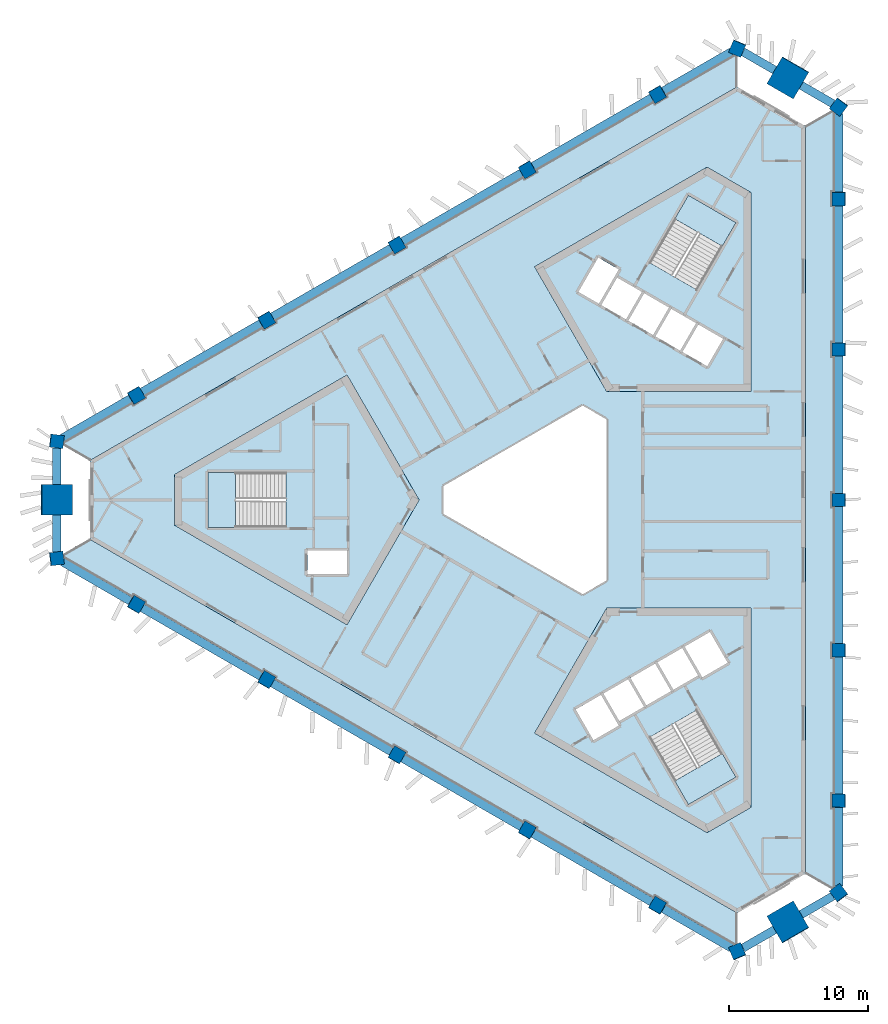
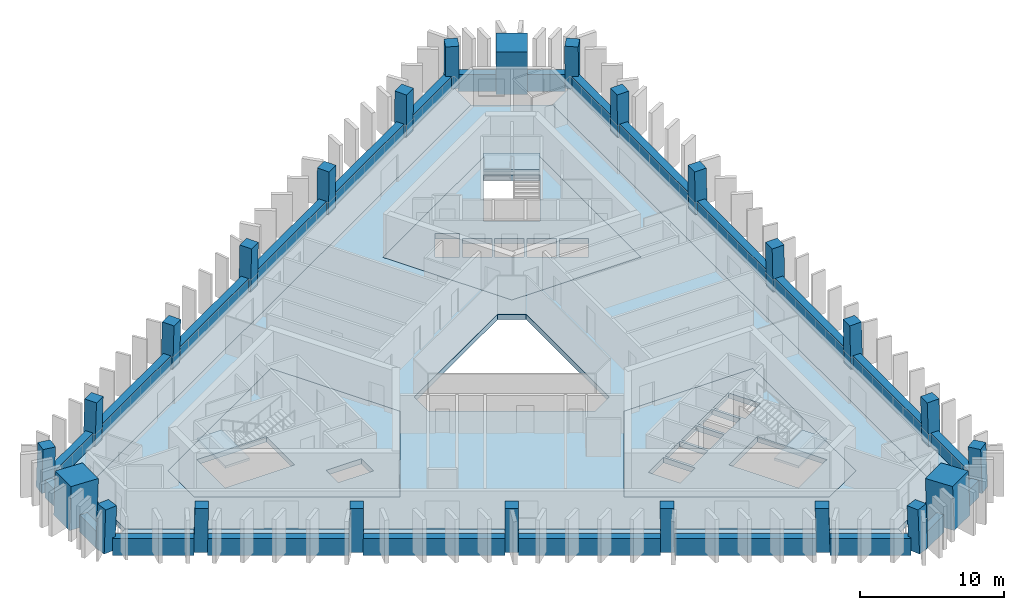
# One storey, part 1 of 9: 24 beams, 24 columns, 10 slabs, 3 elements without a shape of their own.
"""IFC4 building model written with IfcOpenShell, lengths in metres."""

from ifc_helpers import new_model, si_unit, direction, frame, origin, origin_2d, place, context, subcontext, project, spatial, polyline, rectangle, outline, extrude, material, layer, layer_set, material_profile, profile_set, type_object, element, aggregate, save


model = new_model("IFC4")

# Units and contexts
model_context = context("Model", 3, precision=1e-05, world=origin(), true_north=direction((0.0, 1.0)))
body_context = subcontext(model_context, "Body", "Model", "MODEL_VIEW")
ifc_project = project(units=[si_unit("LENGTHUNIT", "METRE"), si_unit("AREAUNIT", "SQUARE_METRE"), si_unit("VOLUMEUNIT", "CUBIC_METRE"), si_unit("PLANEANGLEUNIT", "RADIAN"), si_unit("MASSUNIT", "GRAM", prefix="KILO")], contexts=[model_context])

# Site, building, storey
site_placement = place(None, origin())
site = spatial("IfcSite", under=ifc_project, at=site_placement, CompositionType="ELEMENT")
building_placement = place(site_placement, origin())
building = spatial("IfcBuilding", under=site, at=building_placement, Name="Jabali Bay Hotel Tower and Convention Centre", CompositionType="ELEMENT")
storey_placement = place(building_placement, frame((0.0, 0.0, 171.10009765625)))
storey = spatial("IfcBuildingStorey", under=building, at=storey_placement, Name="L41", CompositionType="ELEMENT", Elevation=171.10009765625)

# Columns
ifc_material_1 = material(Name="Concrete C60", Category="concrete")
ifc_material_profile_1 = material_profile(ifc_material_1, rectangle(XDim=0.949951171875, YDim=0.949951171875, at=origin_2d()), Name="Frame column 950")
ifc_profile_set_1 = profile_set([ifc_material_profile_1], Name="Concrete C60")
column_type_1 = type_object("IfcColumnType", Name="Frame column 950", PredefinedType="COLUMN", material=ifc_profile_set_1)
column_1_placement = place(storey_placement, frame((83.16650390625, 109.1962890625, 0.0), z_axis=(-0.008376454378, -0.028163354484, 0.999568237028), x_axis=(0.865850871468, 0.499846877556, 0.02133933866)))
element("IfcColumn", 1, at=column_1_placement, inside=storey, type_object=column_type_1, Name="FC4 F1.1 L41", PredefinedType="COLUMN", context=body_context, shape_type="SweptSolid", body=[
    extrude(rectangle(XDim=0.949951171875, YDim=0.949951171875, at=origin_2d()), origin(), (0.0, 0.0, 1.0), 3.70166015625),
])
column_2_placement = place(storey_placement, frame((73.782958984375, 103.778564453125, 0.0), z_axis=(0.000857578916, -0.022824792675, 0.999739112668), x_axis=(0.866060219769, 0.499825848733, 0.01066848966)))
element("IfcColumn", 2, at=column_2_placement, inside=storey, type_object=column_type_1, Name="FC4 F1.2 L41", PredefinedType="COLUMN", context=body_context, shape_type="SweptSolid", body=[
    extrude(rectangle(XDim=0.949951171875, YDim=0.949951171875, at=origin_2d()), origin(), (0.0, 0.0, 1.0), 3.700927734375),
])
column_3_placement = place(storey_placement, frame((64.3994140625, 98.36083984375, 0.0), z_axis=(0.010093620709, -0.017482414954, 0.999796221231), x_axis=(0.866020200589, 0.50000901209, 8.5616e-08)))
element("IfcColumn", 3, at=column_3_placement, inside=storey, type_object=column_type_1, Name="FC4 F1.3 L41", PredefinedType="COLUMN", context=body_context, shape_type="SweptSolid", body=[
    extrude(rectangle(XDim=0.949951171875, YDim=0.949951171875, at=origin_2d()), origin(), (0.0, 0.0, 1.0), 3.70068359375),
])
column_4_placement = place(storey_placement, frame((55.015625, 92.943359375, 0.0), z_axis=(0.019328501455, -0.012204002625, 0.999738701537), x_axis=(-0.498087889239, 0.866890953389, 0.020212113357)))
element("IfcColumn", 4, at=column_4_placement, inside=storey, type_object=column_type_1, Name="FC4 F1.4 L41", PredefinedType="COLUMN", context=body_context, shape_type="SweptSolid", body=[
    extrude(rectangle(XDim=0.949951171875, YDim=0.949951171875, at=origin_2d()), origin(), (0.0, 0.0, 1.0), 3.700927734375),
])
for number, where, z_axis, x_axis, name in (
    (5, (45.632080078125, 87.525634765625, 0.0), (0.02855911485, -0.006793507689, 0.999569019734), (-0.500407643461, 0.865554709988, 0.020180049142), "FC4 F1.5 L41"),
    (6, (45.632080078125, 72.474365234375, 0.0), (0.02855911485, 0.006793507689, 0.999569019734), (-0.865318766308, 0.500768301983, 0.021319953197), "FC4 F2.1 L41"),
):
    element("IfcColumn", number, at=place(storey_placement, frame(where, z_axis=z_axis, x_axis=x_axis)), inside=storey, type_object=column_type_1, Name=name, PredefinedType="COLUMN", context=body_context, shape_type="SweptSolid", body=[
        extrude(rectangle(XDim=0.949951171875, YDim=0.949951171875, at=origin_2d()), origin(), (0.0, 0.0, 1.0), 3.70166015625),
    ])
column_5_placement = place(storey_placement, frame((55.015625, 67.056640625, 0.0), z_axis=(0.019328501455, 0.012204002625, 0.999738701537), x_axis=(-0.8669111048, 0.498348409501, 0.010677037146)))
element("IfcColumn", 7, at=column_5_placement, inside=storey, type_object=column_type_1, Name="FC4 F2.2 L41", PredefinedType="COLUMN", context=body_context, shape_type="SweptSolid", body=[
    extrude(rectangle(XDim=0.949951171875, YDim=0.949951171875, at=origin_2d()), origin(), (0.0, 0.0, 1.0), 3.700927734375),
])
column_6_placement = place(storey_placement, frame((64.3994140625, 61.63916015625, 0.0), z_axis=(0.010093620709, 0.017482414954, 0.999796221231), x_axis=(-0.499907122366, -0.865843723195, 0.020187025824)))
element("IfcColumn", 8, at=column_6_placement, inside=storey, type_object=column_type_1, Name="FC4 F2.3 L41", PredefinedType="COLUMN", context=body_context, shape_type="SweptSolid", body=[
    extrude(rectangle(XDim=0.949951171875, YDim=0.949951171875, at=origin_2d()), origin(), (0.0, 0.0, 1.0), 3.70068359375),
])
column_7_placement = place(storey_placement, frame((73.782958984375, 56.221435546875, 0.0), z_axis=(0.000857578916, 0.022824792675, 0.999739112668), x_axis=(-0.499938956565, -0.865825126557, 0.020196285069)))
element("IfcColumn", 9, at=column_7_placement, inside=storey, type_object=column_type_1, Name="FC4 F2.4 L41", PredefinedType="COLUMN", context=body_context, shape_type="SweptSolid", body=[
    extrude(rectangle(XDim=0.949951171875, YDim=0.949951171875, at=origin_2d()), origin(), (0.0, 0.0, 1.0), 3.700927734375),
])
for number, where, z_axis, x_axis, name in (
    (10, (83.16650390625, 50.8037109375, 0.0), (-0.008376454378, 0.028163354484, 0.999568237028), (-0.500232049542, -0.86565577712, 0.020198320458), "FC4 F2.5 L41"),
    (11, (96.201416015625, 58.329345703125, 0.0), (-0.020182631348, 0.021369844956, 0.999567902205), (-0.001315292007, -0.999771248084, 0.021347634776), "FC4 F0.1 L41"),
):
    element("IfcColumn", number, at=place(storey_placement, frame(where, z_axis=z_axis, x_axis=x_axis)), inside=storey, type_object=column_type_1, Name=name, PredefinedType="COLUMN", context=body_context, shape_type="SweptSolid", body=[
        extrude(rectangle(XDim=0.949951171875, YDim=0.949951171875, at=origin_2d()), origin(), (0.0, 0.0, 1.0), 3.70166015625),
    ])
column_8_placement = place(storey_placement, frame((96.201416015625, 69.164794921875, 0.0), z_axis=(-0.020186102726, 0.010620792611, 0.999739826165), x_axis=(0.001532768534, -0.999942070948, 0.010653889845)))
element("IfcColumn", 12, at=column_8_placement, inside=storey, type_object=column_type_1, Name="FC4 F0.2 L41", PredefinedType="COLUMN", context=body_context, shape_type="SweptSolid", body=[
    extrude(rectangle(XDim=0.949951171875, YDim=0.949951171875, at=origin_2d()), origin(), (0.0, 0.0, 1.0), 3.700927734375),
])
column_9_placement = place(storey_placement, frame((96.201416015625, 80.0, 0.0), z_axis=(-0.020187241331, 0.0, 0.99979621688), x_axis=(0.0, -1.0, 0.0)))
element("IfcColumn", 13, at=column_9_placement, inside=storey, type_object=column_type_1, Name="FC4 F0.3 L41", PredefinedType="COLUMN", context=body_context, shape_type="SweptSolid", body=[
    extrude(rectangle(XDim=0.949951171875, YDim=0.949951171875, at=origin_2d()), origin(), (0.0, 0.0, 1.0), 3.70068359375),
])
column_10_placement = place(storey_placement, frame((96.201416015625, 90.835205078125, 0.0), z_axis=(-0.020186102726, -0.010620792611, 0.999739826165), x_axis=(0.999795064939, -0.001747430263, 0.020168654147)))
element("IfcColumn", 14, at=column_10_placement, inside=storey, type_object=column_type_1, Name="FC4 F0.4 L41", PredefinedType="COLUMN", context=body_context, shape_type="SweptSolid", body=[
    extrude(rectangle(XDim=0.949951171875, YDim=0.949951171875, at=origin_2d()), origin(), (0.0, 0.0, 1.0), 3.700927734375),
])
column_11_placement = place(storey_placement, frame((96.201416015625, 101.670654296875, 0.0), z_axis=(-0.020182631348, -0.021369844956, 0.999567902205), x_axis=(0.999795444778, 0.000883872229, 0.020206122118)))
element("IfcColumn", 15, at=column_11_placement, inside=storey, type_object=column_type_1, Name="FC4 F0.5 L41", PredefinedType="COLUMN", context=body_context, shape_type="SweptSolid", body=[
    extrude(rectangle(XDim=0.949951171875, YDim=0.949951171875, at=origin_2d()), origin(), (0.0, 0.0, 1.0), 3.70166015625),
])
for number, where, z_axis, x_axis, name in (
    (16, (96.201416015625, 51.710205078125, 0.0), (-0.020178741915, 0.029015184452, 0.999375273581), (-0.80032510163, -0.599564988062, 0.001247714526), "FC4 V0 L41"),
    (17, (96.201416015625, 108.289794921875, 0.0), (-0.020178741915, -0.029015184452, 0.999375273581), (0.599226626641, 0.799799940086, 0.035320047601), "FC4 V1 L41"),
    (18, (88.89892578125, 112.505859375, 0.0), (-0.014969213121, -0.031982680017, 0.999376320931), (0.920097148052, -0.39168824844, 0.001246667906), "FC4 V2 L41"),
    (19, (39.899658203125, 84.216064453125, 0.0), (0.03521388716, -0.002967462401, 0.999375393092), (-0.992260177461, 0.119048196905, 0.035316668006), "FC4 V3 L41"),
    (20, (39.899658203125, 75.783935546875, 0.0), (0.03521388716, 0.002967462401, 0.999375393092), (-0.119078639463, 0.992884042062, 0.001247655004), "FC4 V4 L41"),
    (21, (88.89892578125, 47.494140625, 0.0), (-0.014969213121, 0.031982680017, 0.999376320931), (0.391404088897, -0.919541964357, 0.035290437538), "FC4 V5 L41"),
):
    element("IfcColumn", number, at=place(storey_placement, frame(where, z_axis=z_axis, x_axis=x_axis)), inside=storey, type_object=column_type_1, Name=name, PredefinedType="COLUMN", context=body_context, shape_type="SweptSolid", body=[
        extrude(rectangle(XDim=0.949951171875, YDim=0.949951171875, at=origin_2d()), origin(), (0.0, 0.0, 1.0), 3.7021484375),
    ])
ifc_material_2 = material(Name="Concrete C70", Category="concrete")
ifc_material_profile_2 = material_profile(ifc_material_2, rectangle(XDim=2.199951171875, YDim=2.199951171875, at=origin_2d()), Name="Mega column 2200")
ifc_profile_set_2 = profile_set([ifc_material_profile_2], Name="Concrete C70")
column_type_2 = type_object("IfcColumnType", Name="Mega column 2200", PredefinedType="COLUMN", material=ifc_profile_set_2)
for number, where, z_axis, x_axis, name in (
    (22, (92.55029296875, 110.397705078125, 0.0), (-0.017607037296, -0.030466109479, 0.999380712447), (0.86581098392, -0.500371202332, 2.457e-09), "MC4 M1 L41"),
    (23, (39.899658203125, 80.0, 0.0), (0.035214042205, 0.0, 0.999379793288), (0.0, 1.0, 0.0), "MC4 M0 L41"),
    (24, (92.55029296875, 49.602294921875, 0.0), (-0.017607037296, 0.030466109479, 0.999380712447), (0.500061328599, -0.865274797998, 0.035187946645), "MC4 M2 L41"),
):
    element("IfcColumn", number, at=place(storey_placement, frame(where, z_axis=z_axis, x_axis=x_axis)), inside=storey, type_object=column_type_2, Name=name, PredefinedType="COLUMN", context=body_context, shape_type="SweptSolid", body=[
        extrude(rectangle(XDim=2.199951171875, YDim=2.199951171875, at=origin_2d()), origin(), (0.0, 0.0, 1.0), 3.7021484375),
    ])

# Beams
ifc_material_profile_3 = material_profile(ifc_material_1, rectangle(XDim=0.60009765625, YDim=1.449951171875, at=origin_2d()), Name="Spandrel 600x1450")
ifc_profile_set_3 = profile_set([ifc_material_profile_3], Name="Concrete C60")
beam_type = type_object("IfcBeamType", Name="Spandrel 600x1450", PredefinedType="SPANDREL", material=ifc_profile_set_3)
beam_1_placement = place(storey_placement, frame((91.591064453125, 110.936279296875, 0.375), z_axis=(-0.86602080971, 0.500007957085, 0.0), x_axis=(-0.500007957085, -0.86602080971, 0.0)))
element("IfcBeam", 25, at=beam_1_placement, inside=storey, type_object=beam_type, Name="Spandrel M1-V2 L41", PredefinedType="SPANDREL", context=body_context, shape_type="SweptSolid", body=[
    extrude(rectangle(XDim=0.60009765625, YDim=1.449951171875, at=origin_2d()), origin(), (0.0, 0.0, 1.0), 2.64013671875),
])
beam_2_placement = place(storey_placement, frame((88.48193359375, 112.25634765625, 0.375), z_axis=(-0.866020560687, -0.500008388397, 0.0), x_axis=(0.500008388397, -0.866020560687, 0.0)))
element("IfcBeam", 26, at=beam_2_placement, inside=storey, type_object=beam_type, Name="Spandrel V2-F1.1 L41", PredefinedType="SPANDREL", context=body_context, shape_type="SweptSolid", body=[
    extrude(rectangle(XDim=0.60009765625, YDim=1.449951171875, at=origin_2d()), origin(), (0.0, 0.0, 1.0), 5.66650390625),
])
beam_3_placement = place(storey_placement, frame((82.751953125, 108.947998046875, 0.375), z_axis=(-0.866032938687, -0.499986948939, 0.0), x_axis=(0.499986948939, -0.866032938687, 0.0)))
element("IfcBeam", 27, at=beam_3_placement, inside=storey, type_object=beam_type, Name="Spandrel F1.1-F1.2 L41", PredefinedType="SPANDREL", context=body_context, shape_type="SweptSolid", body=[
    extrude(rectangle(XDim=0.60009765625, YDim=1.449951171875, at=origin_2d()), origin(), (0.0, 0.0, 1.0), 9.881103515625),
])
for number, where, z_axis, x_axis, name in (
    (28, (73.371826171875, 103.532470703125, 0.375), (-0.866022240018, -0.500005479765, 0.0), (0.500005479765, -0.866022240018, 0.0), "Spandrel F1.2-F1.3 L41"),
    (29, (63.99169921875, 98.116943359375, 0.375), (-0.866022240018, -0.500005479765, 0.0), (0.500005479765, -0.866022240018, 0.0), "Spandrel F1.3-F1.4 L41"),
    (30, (54.611572265625, 92.701171875, 0.375), (-0.866022240018, -0.500005479765, 0.0), (0.500005479765, -0.866022240018, 0.0), "Spandrel F1.4-F1.5 L41"),
):
    element("IfcBeam", number, at=place(storey_placement, frame(where, z_axis=z_axis, x_axis=x_axis)), inside=storey, type_object=beam_type, Name=name, PredefinedType="SPANDREL", context=body_context, shape_type="SweptSolid", body=[
        extrude(rectangle(XDim=0.60009765625, YDim=1.449951171875, at=origin_2d()), origin(), (0.0, 0.0, 1.0), 9.88134765625),
    ])
beam_4_placement = place(storey_placement, frame((45.2314453125, 87.28564453125, 0.375), z_axis=(-0.866020560687, -0.500008388397, 0.0), x_axis=(0.500008388397, -0.866020560687, 0.0)))
element("IfcBeam", 31, at=beam_4_placement, inside=storey, type_object=beam_type, Name="Spandrel F1.5-V3 L41", PredefinedType="SPANDREL", context=body_context, shape_type="SweptSolid", body=[
    extrude(rectangle(XDim=0.60009765625, YDim=1.449951171875, at=origin_2d()), origin(), (0.0, 0.0, 1.0), 5.66650390625),
])
for number, where, z_axis, x_axis, name in (
    (32, (39.912841796875, 83.739990234375, 0.375), (0.0, -1.0, 0.0), (1.0, 0.0, 0.0), "Spandrel V3-M0 L41"),
    (33, (39.912841796875, 78.89990234375, 0.375), (0.0, -1.0, 0.0), (1.0, 0.0, 0.0), "Spandrel M0-V4 L41"),
):
    element("IfcBeam", number, at=place(storey_placement, frame(where, z_axis=z_axis, x_axis=x_axis)), inside=storey, type_object=beam_type, Name=name, PredefinedType="SPANDREL", context=body_context, shape_type="SweptSolid", body=[
        extrude(rectangle(XDim=0.60009765625, YDim=1.449951171875, at=origin_2d()), origin(), (0.0, 0.0, 1.0), 2.639892578125),
    ])
beam_5_placement = place(storey_placement, frame((40.32421875, 75.547607421875, 0.375), z_axis=(0.866020560687, -0.500008388397, 0.0), x_axis=(0.500008388397, 0.866020560687, 0.0)))
element("IfcBeam", 34, at=beam_5_placement, inside=storey, type_object=beam_type, Name="Spandrel V4-F2.1 L41", PredefinedType="SPANDREL", context=body_context, shape_type="SweptSolid", body=[
    extrude(rectangle(XDim=0.60009765625, YDim=1.449951171875, at=origin_2d()), origin(), (0.0, 0.0, 1.0), 5.66650390625),
])
for number, where, z_axis, x_axis, name in (
    (35, (46.05419921875, 72.239501953125, 0.375), (0.866022240018, -0.500005479765, 0.0), (0.500005479765, 0.866022240018, 0.0), "Spandrel F2.1-F2.2 L41"),
    (36, (55.434326171875, 66.82373046875, 0.375), (0.866022240018, -0.500005479765, 0.0), (0.500005479765, 0.866022240018, 0.0), "Spandrel F2.2-F2.3 L41"),
    (37, (64.814453125, 61.408203125, 0.375), (0.866022240018, -0.500005479765, 0.0), (0.500005479765, 0.866022240018, 0.0), "Spandrel F2.3-F2.4 L41"),
):
    element("IfcBeam", number, at=place(storey_placement, frame(where, z_axis=z_axis, x_axis=x_axis)), inside=storey, type_object=beam_type, Name=name, PredefinedType="SPANDREL", context=body_context, shape_type="SweptSolid", body=[
        extrude(rectangle(XDim=0.60009765625, YDim=1.449951171875, at=origin_2d()), origin(), (0.0, 0.0, 1.0), 9.88134765625),
    ])
beam_6_placement = place(storey_placement, frame((74.194580078125, 55.992431640625, 0.375), z_axis=(0.866032938687, -0.499986948939, 0.0), x_axis=(0.499986948939, 0.866032938687, 0.0)))
element("IfcBeam", 38, at=beam_6_placement, inside=storey, type_object=beam_type, Name="Spandrel F2.4-F2.5 L41", PredefinedType="SPANDREL", context=body_context, shape_type="SweptSolid", body=[
    extrude(rectangle(XDim=0.60009765625, YDim=1.449951171875, at=origin_2d()), origin(), (0.0, 0.0, 1.0), 9.881103515625),
])
beam_7_placement = place(storey_placement, frame((83.57470703125, 50.576904296875, 0.375), z_axis=(0.866020560687, -0.500008388397, 0.0), x_axis=(0.500008388397, 0.866020560687, 0.0)))
element("IfcBeam", 39, at=beam_7_placement, inside=storey, type_object=beam_type, Name="Spandrel F2.5-V5 L41", PredefinedType="SPANDREL", context=body_context, shape_type="SweptSolid", body=[
    extrude(rectangle(XDim=0.60009765625, YDim=1.449951171875, at=origin_2d()), origin(), (0.0, 0.0, 1.0), 5.66650390625),
])
for number, where, z_axis, x_axis, name in (
    (40, (89.3046875, 47.74365234375, 0.375), (0.86602080971, 0.500007957085, 0.0), (-0.500007957085, 0.86602080971, 0.0), "Spandrel V5-M2 L41"),
    (41, (93.49609375, 50.16357421875, 0.375), (0.86602080971, 0.500007957085, 0.0), (-0.500007957085, 0.86602080971, 0.0), "Spandrel M2-V0 L41"),
):
    element("IfcBeam", number, at=place(storey_placement, frame(where, z_axis=z_axis, x_axis=x_axis)), inside=storey, type_object=beam_type, Name=name, PredefinedType="SPANDREL", context=body_context, shape_type="SweptSolid", body=[
        extrude(rectangle(XDim=0.60009765625, YDim=1.449951171875, at=origin_2d()), origin(), (0.0, 0.0, 1.0), 2.64013671875),
    ])
beam_8_placement = place(storey_placement, frame((96.19384765625, 52.196044921875, 0.375), z_axis=(0.0, 1.0, 0.0), x_axis=(-1.0, 0.0, 0.0)))
element("IfcBeam", 42, at=beam_8_placement, inside=storey, type_object=beam_type, Name="Spandrel V0-F0.1 L41", PredefinedType="SPANDREL", context=body_context, shape_type="SweptSolid", body=[
    extrude(rectangle(XDim=0.60009765625, YDim=1.449951171875, at=origin_2d()), origin(), (0.0, 0.0, 1.0), 5.66650390625),
])
beam_9_placement = place(storey_placement, frame((96.19384765625, 58.8125, 0.375), z_axis=(0.0, 1.0, 0.0), x_axis=(-1.0, 0.0, 0.0)))
element("IfcBeam", 43, at=beam_9_placement, inside=storey, type_object=beam_type, Name="Spandrel F0.1-F0.2 L41", PredefinedType="SPANDREL", context=body_context, shape_type="SweptSolid", body=[
    extrude(rectangle(XDim=0.60009765625, YDim=1.449951171875, at=origin_2d()), origin(), (0.0, 0.0, 1.0), 9.88134765625),
])
for number, where, z_axis, x_axis, name in (
    (44, (96.19384765625, 69.643798828125, 0.375), (0.0, 1.0, 0.0), (-1.0, 0.0, 0.0), "Spandrel F0.2-F0.3 L41"),
    (45, (96.19384765625, 80.47509765625, 0.375), (0.0, 1.0, 0.0), (-1.0, 0.0, 0.0), "Spandrel F0.3-F0.4 L41"),
):
    element("IfcBeam", number, at=place(storey_placement, frame(where, z_axis=z_axis, x_axis=x_axis)), inside=storey, type_object=beam_type, Name=name, PredefinedType="SPANDREL", context=body_context, shape_type="SweptSolid", body=[
        extrude(rectangle(XDim=0.60009765625, YDim=1.449951171875, at=origin_2d()), origin(), (0.0, 0.0, 1.0), 9.881103515625),
    ])
beam_10_placement = place(storey_placement, frame((96.19384765625, 91.30615234375, 0.375), z_axis=(0.0, 1.0, 0.0), x_axis=(-1.0, 0.0, 0.0)))
element("IfcBeam", 46, at=beam_10_placement, inside=storey, type_object=beam_type, Name="Spandrel F0.4-F0.5 L41", PredefinedType="SPANDREL", context=body_context, shape_type="SweptSolid", body=[
    extrude(rectangle(XDim=0.60009765625, YDim=1.449951171875, at=origin_2d()), origin(), (0.0, 0.0, 1.0), 9.88134765625),
])
beam_11_placement = place(storey_placement, frame((96.19384765625, 102.137451171875, 0.375), z_axis=(0.0, 1.0, 0.0), x_axis=(-1.0, 0.0, 0.0)))
element("IfcBeam", 47, at=beam_11_placement, inside=storey, type_object=beam_type, Name="Spandrel F0.5-V1 L41", PredefinedType="SPANDREL", context=body_context, shape_type="SweptSolid", body=[
    extrude(rectangle(XDim=0.60009765625, YDim=1.449951171875, at=origin_2d()), origin(), (0.0, 0.0, 1.0), 5.66650390625),
])
beam_12_placement = place(storey_placement, frame((95.782470703125, 108.516357421875, 0.375), z_axis=(-0.86602080971, 0.500007957085, 0.0), x_axis=(-0.500007957085, -0.86602080971, 0.0)))
element("IfcBeam", 48, at=beam_12_placement, inside=storey, type_object=beam_type, Name="Spandrel V1-M1 L41", PredefinedType="SPANDREL", context=body_context, shape_type="SweptSolid", body=[
    extrude(rectangle(XDim=0.60009765625, YDim=1.449951171875, at=origin_2d()), origin(), (0.0, 0.0, 1.0), 2.64013671875),
])

# Slabs
ifc_material_3 = material(Name="Concrete C40", Category="concrete")
ifc_layer_1 = layer(ifc_material_3, 0.449951171875)
ifc_layer_set_1 = layer_set([ifc_layer_1], Name="Concrete C40")
slab_type_1 = type_object("IfcSlabType", Name="Core floor slab 450", PredefinedType="FLOOR", material=ifc_layer_set_1)
slab_1_placement = place(storey_placement, frame((0.0, 0.0, -0.4501953125)))
element("IfcSlab", 49, at=slab_1_placement, inside=storey, type_object=slab_type_1, Name="Core floor slab 1 L41", PredefinedType="FLOOR", context=body_context, shape_type="SweptSolid", body=[
    extrude(outline(polyline([(66.0, 80.0), (60.81005859375, 88.9892578125), (48.39697265625, 81.82275390625), (48.39697265625, 78.17724609375), (60.81005859375, 71.0107421875), (66.0, 80.0)]), holes=[polyline([(60.800048828125, 76.35009765625), (57.949951171875, 76.35009765625), (57.949951171875, 74.64990234375), (60.800048828125, 74.64990234375), (60.800048828125, 76.35009765625)]), polyline([(50.820068359375, 81.97509765625), (50.820068359375, 78.02490234375), (56.409912109375, 78.02490234375), (56.409912109375, 81.97509765625), (50.820068359375, 81.97509765625)])]), origin(), (0.0, 0.0, 1.0), 0.4501953125),
])
slab_2_placement = place(storey_placement, frame((0.0, 0.0, -0.4501953125)))
element("IfcSlab", 50, at=slab_2_placement, inside=storey, type_object=slab_type_1, Name="Core floor slab 2 L41", PredefinedType="FLOOR", context=body_context, shape_type="SweptSolid", body=[
    extrude(outline(polyline([(79.5, 87.794189453125), (89.8798828125, 87.794189453125), (89.8798828125, 102.127685546875), (86.72314453125, 103.9501953125), (74.31005859375, 96.78369140625), (79.5, 87.794189453125)]), holes=[polyline([(84.957763671875, 90.6474609375), (86.733154296875, 89.62255859375), (87.873291015625, 91.59716796875), (86.097900390625, 92.6220703125), (84.957763671875, 90.6474609375)]), polyline([(84.1494140625, 93.7470703125), (83.00927734375, 91.7724609375), (84.78466796875, 90.74755859375), (85.924560546875, 92.72216796875), (84.1494140625, 93.7470703125)]), polyline([(82.20068359375, 94.8720703125), (81.060791015625, 92.8974609375), (82.836181640625, 91.87255859375), (83.97607421875, 93.84716796875), (82.20068359375, 94.8720703125)]), polyline([(79.1123046875, 94.0224609375), (80.887451171875, 92.99755859375), (82.027587890625, 94.97216796875), (80.252197265625, 95.9970703125), (79.1123046875, 94.0224609375)]), polyline([(78.891845703125, 97.440673828125), (77.466796875, 94.97265625), (78.93896484375, 94.12255859375), (80.364013671875, 96.5908203125), (78.891845703125, 97.440673828125)]), polyline([(82.584716796875, 97.0869140625), (86.00537109375, 95.11181640625), (88.80029296875, 99.952880859375), (85.379638671875, 101.927978515625), (82.584716796875, 97.0869140625)])]), origin(), (0.0, 0.0, 1.0), 0.4501953125),
])
slab_3_placement = place(storey_placement, frame((0.0, 0.0, -0.4501953125)))
element("IfcSlab", 51, at=slab_3_placement, inside=storey, type_object=slab_type_1, Name="Core floor slab 3 L41", PredefinedType="FLOOR", context=body_context, shape_type="SweptSolid", body=[
    extrude(outline(polyline([(79.5, 72.205810546875), (74.31005859375, 63.21630859375), (86.72314453125, 56.0498046875), (89.8798828125, 57.872314453125), (89.8798828125, 72.205810546875), (79.5, 72.205810546875)]), holes=[polyline([(82.584716796875, 62.9130859375), (85.379638671875, 58.072021484375), (88.80029296875, 60.047119140625), (86.00537109375, 64.88818359375), (82.584716796875, 62.9130859375)]), polyline([(80.365478515625, 63.756591796875), (79.090576171875, 65.96484375), (77.27197265625, 64.9150390625), (78.546875, 62.70654296875), (80.365478515625, 63.756591796875)]), polyline([(82.17919921875, 65.115478515625), (81.0390625, 67.08984375), (79.263671875, 66.06494140625), (80.40380859375, 64.09033203125), (82.17919921875, 65.115478515625)]), polyline([(82.98779296875, 68.21484375), (81.21240234375, 67.18994140625), (82.352294921875, 65.21533203125), (84.127685546875, 66.240478515625), (82.98779296875, 68.21484375)]), polyline([(86.076171875, 67.365478515625), (84.936279296875, 69.33984375), (83.160888671875, 68.31494140625), (84.30078125, 66.34033203125), (86.076171875, 67.365478515625)]), polyline([(88.203125, 68.281494140625), (86.927978515625, 70.489990234375), (85.109375, 69.43994140625), (86.384521484375, 67.231689453125), (88.203125, 68.281494140625)])]), origin(), (0.0, 0.0, 1.0), 0.4501953125),
])
ifc_layer_2 = layer(ifc_material_3, 0.199951171875)
ifc_layer_set_2 = layer_set([ifc_layer_2], Name="Concrete C40")
slab_type_2 = type_object("IfcSlabType", Name="Loggia slab 200", PredefinedType="FLOOR", material=ifc_layer_set_2)
slab_4_placement = place(storey_placement, frame((0.0, 0.0, -0.2001953125)))
element("IfcSlab", 52, at=slab_4_placement, inside=storey, type_object=slab_type_2, Name="Loggia slab east face L41", PredefinedType="FLOOR", context=body_context, shape_type="SweptSolid", body=[
    extrude(outline(polyline([(93.80126953125, 106.904052734375), (95.75390625, 108.031494140625), (95.9013671875, 107.921142578125), (95.9013671875, 102.1455078125), (95.726318359375, 102.1455078125), (95.726318359375, 101.195556640625), (95.9013671875, 101.195556640625), (95.9013671875, 91.310302734375), (95.726318359375, 91.310302734375), (95.726318359375, 90.3603515625), (95.9013671875, 90.3603515625), (95.9013671875, 80.47509765625), (95.726318359375, 80.47509765625), (95.726318359375, 79.52490234375), (95.9013671875, 79.52490234375), (95.9013671875, 69.6396484375), (95.726318359375, 69.6396484375), (95.726318359375, 68.689697265625), (95.9013671875, 68.689697265625), (95.9013671875, 58.804443359375), (95.726318359375, 58.804443359375), (95.726318359375, 57.8544921875), (95.9013671875, 57.8544921875), (95.9013671875, 52.078857421875), (95.75390625, 51.968505859375), (93.80126953125, 53.095947265625), (93.80126953125, 106.904052734375)])), origin(), (0.0, 0.0, 1.0), 0.2001953125),
])
slab_5_placement = place(storey_placement, frame((0.0, 0.0, -0.2001953125)))
element("IfcSlab", 53, at=slab_5_placement, inside=storey, type_object=slab_type_2, Name="Loggia slab north-west face L41", PredefinedType="FLOOR", context=body_context, shape_type="SweptSolid", body=[
    extrude(outline(polyline([(42.299560546875, 82.830322265625), (40.346923828125, 83.957763671875), (40.368896484375, 84.140625), (45.370849609375, 87.0283203125), (45.458251953125, 86.876708984375), (46.281005859375, 87.351806640625), (46.193359375, 87.50341796875), (54.75439453125, 92.446044921875), (54.841796875, 92.29443359375), (55.66455078125, 92.769287109375), (55.5771484375, 92.9208984375), (64.137939453125, 97.863525390625), (64.2255859375, 97.712158203125), (65.048095703125, 98.18701171875), (64.960693359375, 98.338623046875), (73.521484375, 103.28125), (73.609130859375, 103.129638671875), (74.431884765625, 103.604736328125), (74.34423828125, 103.756103515625), (82.9052734375, 108.698974609375), (82.99267578125, 108.54736328125), (83.8154296875, 109.022216796875), (83.72802734375, 109.173828125), (88.729736328125, 112.0615234375), (88.89892578125, 111.9892578125), (88.89892578125, 109.734619140625), (42.299560546875, 82.830322265625)])), origin(), (0.0, 0.0, 1.0), 0.2001953125),
])
slab_6_placement = place(storey_placement, frame((0.0, 0.0, -0.2001953125)))
element("IfcSlab", 54, at=slab_6_placement, inside=storey, type_object=slab_type_2, Name="Loggia slab south-west face L41", PredefinedType="FLOOR", context=body_context, shape_type="SweptSolid", body=[
    extrude(outline(polyline([(88.89892578125, 50.265380859375), (88.89892578125, 48.0107421875), (88.729736328125, 47.9384765625), (83.72802734375, 50.826171875), (83.8154296875, 50.977783203125), (82.99267578125, 51.45263671875), (82.9052734375, 51.301025390625), (74.34423828125, 56.243896484375), (74.431884765625, 56.395263671875), (73.609130859375, 56.870361328125), (73.521484375, 56.71875), (64.960693359375, 61.661376953125), (65.048095703125, 61.81298828125), (64.2255859375, 62.287841796875), (64.137939453125, 62.136474609375), (55.5771484375, 67.0791015625), (55.66455078125, 67.230712890625), (54.841796875, 67.70556640625), (54.75439453125, 67.553955078125), (46.193359375, 72.49658203125), (46.281005859375, 72.648193359375), (45.458251953125, 73.123291015625), (45.370849609375, 72.9716796875), (40.368896484375, 75.859375), (40.346923828125, 76.042236328125), (42.299560546875, 77.169677734375), (88.89892578125, 50.265380859375)])), origin(), (0.0, 0.0, 1.0), 0.2001953125),
])
ifc_layer_3 = layer(ifc_material_3, 0.449951171875)
ifc_layer_set_3 = layer_set([ifc_layer_3], Name="Concrete C40")
slab_type_3 = type_object("IfcSlabType", Name="Post-tensioned flat slab 450", PredefinedType="FLOOR", material=ifc_layer_set_3)
slab_7_placement = place(storey_placement, frame((0.0, 0.0, -0.4501953125)))
element("IfcSlab", 55, at=slab_7_placement, inside=storey, type_object=slab_type_3, Name="Floor slab L41", PredefinedType="FLOOR", context=body_context, shape_type="SweptSolid", body=[
    extrude(outline(polyline([(88.89892578125, 109.734619140625), (93.80126953125, 106.904052734375), (93.80126953125, 53.095947265625), (88.89892578125, 50.265380859375), (42.299560546875, 77.169677734375), (42.299560546875, 82.830322265625), (88.89892578125, 109.734619140625)]), holes=[polyline([(67.73193359375, 79.0), (77.76806640625, 73.205810546875), (79.5, 74.205810546875), (79.5, 85.794189453125), (77.76806640625, 86.794189453125), (67.73193359375, 81.0), (67.73193359375, 79.0)]), polyline([(48.39697265625, 78.17724609375), (60.81005859375, 71.0107421875), (66.0, 80.0), (60.81005859375, 88.9892578125), (48.39697265625, 81.82275390625), (48.39697265625, 78.17724609375)]), polyline([(89.8798828125, 102.127685546875), (86.72314453125, 103.9501953125), (74.31005859375, 96.78369140625), (79.5, 87.794189453125), (89.8798828125, 87.794189453125), (89.8798828125, 102.127685546875)]), polyline([(74.31005859375, 63.21630859375), (86.72314453125, 56.0498046875), (89.8798828125, 57.872314453125), (89.8798828125, 72.205810546875), (79.5, 72.205810546875), (74.31005859375, 63.21630859375)])]), origin(), (0.0, 0.0, 1.0), 0.4501953125),
])

# Stair, slab
stair_type = type_object("IfcStairType", Name="Exit stair 1900", PredefinedType="HALF_TURN_STAIR", material=ifc_material_3)
stair_1_placement = place(storey_placement, origin())
stair_1 = element("IfcStair", 56, at=stair_1_placement, inside=storey, type_object=stair_type, Name="L41 Exit Stair 1", PredefinedType="HALF_TURN_STAIR")
ifc_layer_4 = layer(ifc_material_3, 0.199951171875)
ifc_layer_set_4 = layer_set([ifc_layer_4], Name="Concrete C40")
slab_type_4 = type_object("IfcSlabType", Name="Stair landing 200", PredefinedType="LANDING", material=ifc_layer_set_4)
slab_8_placement = place(storey_placement, frame((0.0, 0.0, 1.64990234375)))
slab_8 = element("IfcSlab", 57, at=slab_8_placement, type_object=slab_type_4, Name="ST1 landing 1", PredefinedType="LANDING", context=body_context, shape_type="SweptSolid", body=[
    extrude(outline(polyline([(52.782958984375, 81.97509765625), (50.820068359375, 81.97509765625), (50.820068359375, 78.02490234375), (52.782958984375, 78.02490234375), (52.782958984375, 81.97509765625)])), origin(), (0.0, 0.0, 1.0), 0.199951171875),
])
aggregate(stair_1, [slab_8])

stair_2_placement = place(storey_placement, origin())
stair_2 = element("IfcStair", 58, at=stair_2_placement, inside=storey, type_object=stair_type, Name="L41 Exit Stair 2", PredefinedType="HALF_TURN_STAIR")
slab_9_placement = place(storey_placement, frame((0.0, 0.0, 1.64990234375)))
slab_9 = element("IfcSlab", 59, at=slab_9_placement, type_object=slab_type_4, Name="ST2 landing 1", PredefinedType="LANDING", context=body_context, shape_type="SweptSolid", body=[
    extrude(outline(polyline([(87.81884765625, 98.2529296875), (88.80029296875, 99.952880859375), (85.379638671875, 101.927978515625), (84.398193359375, 100.22802734375), (87.81884765625, 98.2529296875)])), origin(), (0.0, 0.0, 1.0), 0.199951171875),
])
aggregate(stair_2, [slab_9])

stair_3_placement = place(storey_placement, origin())
stair_3 = element("IfcStair", 60, at=stair_3_placement, inside=storey, type_object=stair_type, Name="L41 Exit Stair 3", PredefinedType="HALF_TURN_STAIR")
slab_10_placement = place(storey_placement, frame((0.0, 0.0, 1.64990234375)))
slab_10 = element("IfcSlab", 61, at=slab_10_placement, type_object=slab_type_4, Name="ST3 landing 1", PredefinedType="LANDING", context=body_context, shape_type="SweptSolid", body=[
    extrude(outline(polyline([(84.398193359375, 59.77197265625), (85.379638671875, 58.072021484375), (88.80029296875, 60.047119140625), (87.81884765625, 61.7470703125), (84.398193359375, 59.77197265625)])), origin(), (0.0, 0.0, 1.0), 0.199951171875),
])
aggregate(stair_3, [slab_10])

save(model, "model.ifc")
